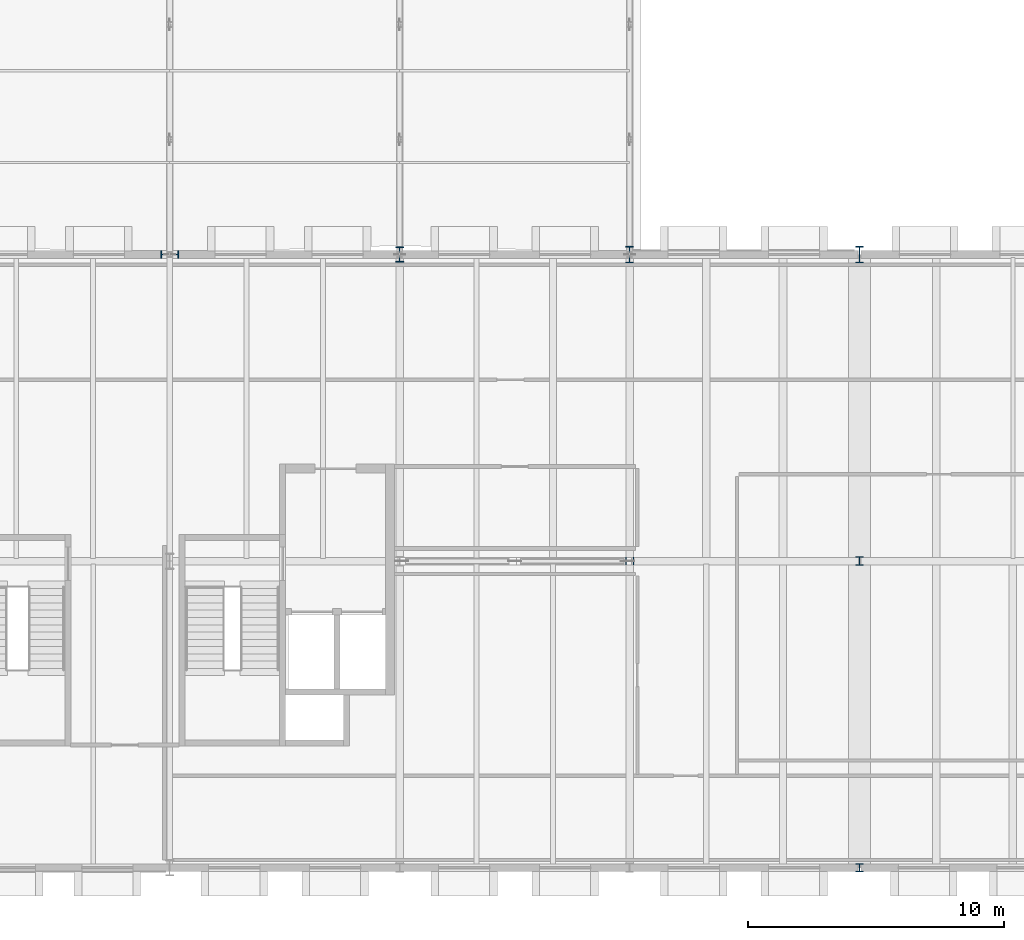
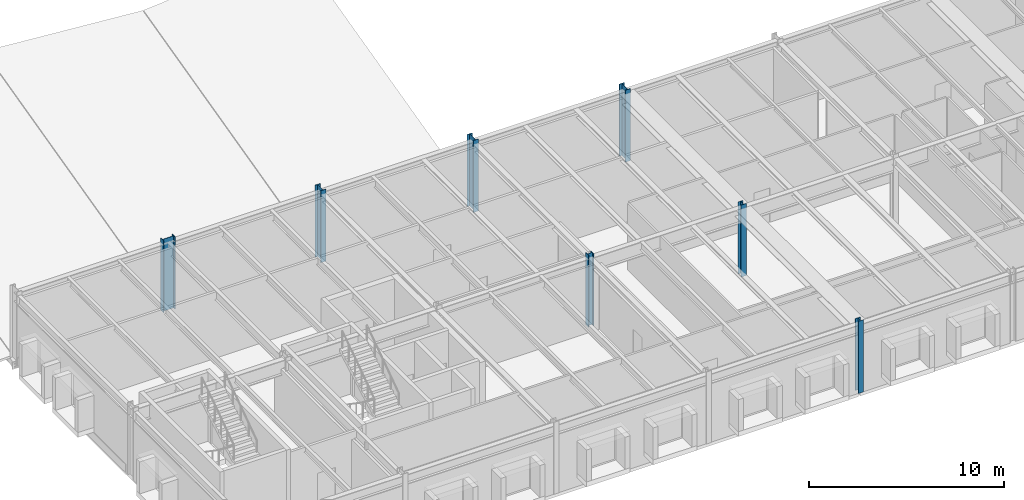
# One storey, part 2 of 67: 7 columns.
"""IFC4 building model written with IfcOpenShell, lengths in metres."""

from ifc_helpers import new_model, si_unit, direction, frame, origin, origin_2d, place, context, subcontext, project, spatial, i_section, extrude, material, material_profile, profile_set, type_object, element, save


model = new_model("IFC4")

# Units and contexts
model_context = context("Model", 3, precision=1e-05, world=origin(), true_north=direction((0.0, 1.0)))
body_context = subcontext(model_context, "Body", "Model", "MODEL_VIEW")
ifc_project = project(units=[si_unit("LENGTHUNIT", "METRE"), si_unit("AREAUNIT", "SQUARE_METRE"), si_unit("VOLUMEUNIT", "CUBIC_METRE"), si_unit("PLANEANGLEUNIT", "RADIAN"), si_unit("MASSUNIT", "GRAM", prefix="KILO")], contexts=[model_context])

# Site, building, storey
site_placement = place(None, origin())
site = spatial("IfcSite", under=ifc_project, at=site_placement, CompositionType="ELEMENT")
building_placement = place(site_placement, origin())
building = spatial("IfcBuilding", under=site, at=building_placement, Name="Montelvaro Courts of Justice", CompositionType="ELEMENT")
storey_placement = place(building_placement, frame((0.0, 0.0, 18.89990234375)))
storey = spatial("IfcBuildingStorey", under=building, at=storey_placement, Name="L04", CompositionType="ELEMENT", Elevation=18.89990234375)

# Columns
ifc_material = material(Name="Steel S355", Category="steel")
ifc_material_profile_1 = material_profile(ifc_material, i_section(OverallWidth=0.300048828125, OverallDepth=0.320068359375, WebThickness=0.011474609375, FlangeThickness=0.0205078125, at=origin_2d()), Name="HEB 320")
ifc_profile_set_1 = profile_set([ifc_material_profile_1], Name="Steel S355")
column_type_1 = type_object("IfcColumnType", Name="Col_HEB320", PredefinedType="COLUMN", material=ifc_profile_set_1)
for number, where, z_axis, x_axis, name in (
    (1, (72.0, 12.0, 0.0), (0.0, 0.0, 1.0), (0.0, 1.0, 0.0), "Column C-04 L04 9/B"),
    (2, (81.0, 0.0, 0.0), (0.0, 0.0, 1.0), (1.0, 0.0, 0.0), "Column C-04 L04 10/A"),
):
    element("IfcColumn", number, at=place(storey_placement, frame(where, z_axis=z_axis, x_axis=x_axis)), inside=storey, type_object=column_type_1, Name=name, PredefinedType="COLUMN", context=body_context, shape_type="SweptSolid", body=[
        extrude(i_section(OverallWidth=0.300048828125, OverallDepth=0.320068359375, WebThickness=0.011474609375, FlangeThickness=0.0205078125, at=origin_2d()), origin(), (0.0, 0.0, 1.0), 4.5),
    ])
ifc_material_profile_2 = material_profile(ifc_material, i_section(OverallWidth=0.300048828125, OverallDepth=0.340087890625, WebThickness=0.011962890625, FlangeThickness=0.021484375, at=origin_2d()), Name="HEB 340")
ifc_profile_set_2 = profile_set([ifc_material_profile_2], Name="Steel S355")
column_type_2 = type_object("IfcColumnType", Name="Col_HEB340", PredefinedType="COLUMN", material=ifc_profile_set_2)
column_1_placement = place(storey_placement, frame((81.0, 12.0, 0.0), z_axis=(0.0, 0.0, 1.0), x_axis=(1.0, 0.0, 0.0)))
element("IfcColumn", 3, at=column_1_placement, inside=storey, type_object=column_type_2, Name="Column C-05 L04 10/B", PredefinedType="COLUMN", context=body_context, shape_type="SweptSolid", body=[
    extrude(i_section(OverallWidth=0.300048828125, OverallDepth=0.340087890625, WebThickness=0.011962890625, FlangeThickness=0.021484375, at=origin_2d()), origin(), (0.0, 0.0, 1.0), 4.5),
])
ifc_material_profile_3 = material_profile(ifc_material, i_section(OverallWidth=0.300048828125, OverallDepth=0.60009765625, WebThickness=0.015380859375, FlangeThickness=0.030029296875, at=origin_2d()), Name="HEB 600")
ifc_profile_set_3 = profile_set([ifc_material_profile_3], Name="Steel S355")
column_type_3 = type_object("IfcColumnType", Name="Col_HEB600", PredefinedType="COLUMN", material=ifc_profile_set_3)
column_2_placement = place(storey_placement, frame((63.0, 24.0, 0.0), z_axis=(0.0, 0.0, 1.0), x_axis=(1.0, 0.0, 0.0)))
element("IfcColumn", 4, at=column_2_placement, inside=storey, type_object=column_type_3, Name="Column C-11 L04 8/C", PredefinedType="COLUMN", context=body_context, shape_type="SweptSolid", body=[
    extrude(i_section(OverallWidth=0.300048828125, OverallDepth=0.60009765625, WebThickness=0.015380859375, FlangeThickness=0.030029296875, at=origin_2d()), origin(), (0.0, 0.0, 1.0), 4.5),
])
ifc_material_profile_4 = material_profile(ifc_material, i_section(OverallWidth=0.300048828125, OverallDepth=0.64990234375, WebThickness=0.01611328125, FlangeThickness=0.031005859375, at=origin_2d()), Name="HEB 650")
ifc_profile_set_4 = profile_set([ifc_material_profile_4], Name="Steel S355")
column_type_4 = type_object("IfcColumnType", Name="Col_HEB650", PredefinedType="COLUMN", material=ifc_profile_set_4)
for number, where, z_axis, x_axis, name in (
    (5, (72.0, 24.0, 0.0), (0.0, 0.0, 1.0), (1.0, 0.0, 0.0), "Column C-12 L04 9/C"),
    (6, (81.0, 24.0, 0.0), (0.0, 0.0, 1.0), (1.0, 0.0, 0.0), "Column C-12 L04 10/C"),
):
    element("IfcColumn", number, at=place(storey_placement, frame(where, z_axis=z_axis, x_axis=x_axis)), inside=storey, type_object=column_type_4, Name=name, PredefinedType="COLUMN", context=body_context, shape_type="SweptSolid", body=[
        extrude(i_section(OverallWidth=0.300048828125, OverallDepth=0.64990234375, WebThickness=0.01611328125, FlangeThickness=0.031005859375, at=origin_2d()), origin(), (0.0, 0.0, 1.0), 4.5),
    ])
ifc_material_profile_5 = material_profile(ifc_material, i_section(OverallWidth=0.303955078125, OverallDepth=0.716064453125, WebThickness=0.02099609375, FlangeThickness=0.0400390625, at=origin_2d()), Name="HEM 700")
ifc_profile_set_5 = profile_set([ifc_material_profile_5], Name="Steel S355")
column_type_5 = type_object("IfcColumnType", Name="Col_HEM700", PredefinedType="COLUMN", material=ifc_profile_set_5)
column_3_placement = place(storey_placement, frame((54.0, 24.0, 0.0), z_axis=(0.0, 0.0, 1.0), x_axis=(0.0, 1.0, 0.0)))
element("IfcColumn", 7, at=column_3_placement, inside=storey, type_object=column_type_5, Name="Column C-16 L04 7/C", PredefinedType="COLUMN", context=body_context, shape_type="SweptSolid", body=[
    extrude(i_section(OverallWidth=0.303955078125, OverallDepth=0.716064453125, WebThickness=0.02099609375, FlangeThickness=0.0400390625, at=origin_2d()), origin(), (0.0, 0.0, 1.0), 4.5),
])

save(model, "model.ifc")
